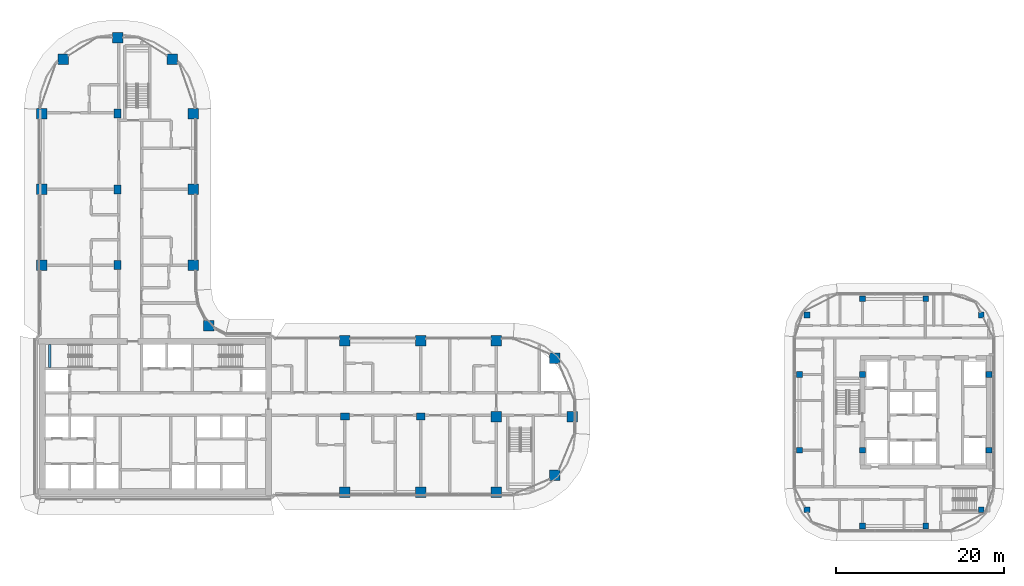
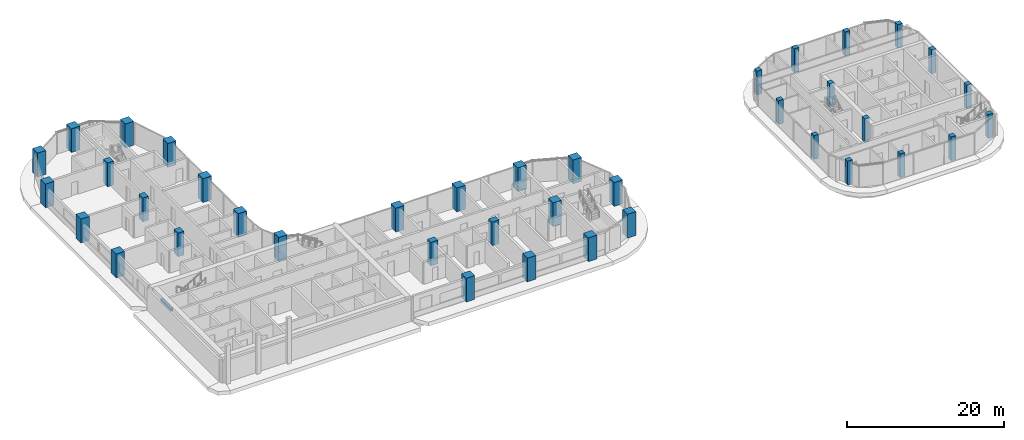
# One storey, part 1 of 33: 39 columns, 1 beam.
"""IFC4 building model written with IfcOpenShell, lengths in metres."""

from ifc_helpers import new_model, si_unit, direction, frame, origin, origin_2d, place, context, subcontext, project, spatial, rectangle, extrude, material, material_profile, profile_set, type_object, element, save


model = new_model("IFC4")

# Units and contexts
model_context = context("Model", 3, precision=1e-05, world=origin(), true_north=direction((0.0, 1.0)))
body_context = subcontext(model_context, "Body", "Model", "MODEL_VIEW")
ifc_project = project(units=[si_unit("LENGTHUNIT", "METRE"), si_unit("AREAUNIT", "SQUARE_METRE"), si_unit("VOLUMEUNIT", "CUBIC_METRE"), si_unit("PLANEANGLEUNIT", "RADIAN"), si_unit("MASSUNIT", "GRAM", prefix="KILO")], contexts=[model_context])

# Site, building, storey
site_placement = place(None, origin())
site = spatial("IfcSite", under=ifc_project, at=site_placement, CompositionType="ELEMENT")
building_placement = place(site_placement, origin())
building = spatial("IfcBuilding", under=site, at=building_placement, Name="Ogive Portal Towers", CompositionType="ELEMENT")
storey_placement = place(building_placement, frame((0.0, 0.0, 98.199951171875)))
storey = spatial("IfcBuildingStorey", under=building, at=storey_placement, Name="L23", CompositionType="ELEMENT", Elevation=98.199951171875)

# Columns
ifc_material_1 = material(Name="Concrete C60/75", Category="concrete")
ifc_material_profile_1 = material_profile(ifc_material_1, rectangle(XDim=1.050048828125, YDim=0.85009765625, at=origin_2d()), Name="RC 1050x850")
ifc_profile_set_1 = profile_set([ifc_material_profile_1], Name="Concrete C60/75")
column_type_1 = type_object("IfcColumnType", Name="COLUMN RC 1050x850", PredefinedType="COLUMN", material=ifc_profile_set_1)
for number, where, z_axis, x_axis, name in (
    (1, (67.5, 30.5, 0.0), (0.0, 0.0, 1.0), (1.0, 0.0, 0.0), "Column 5/B L23"),
    (2, (76.5, 30.5, 0.0), (0.0, 0.0, 1.0), (1.0, 0.0, 0.0), "Column 6/B L23"),
    (3, (40.5, 48.5, 0.0), (0.0, 0.0, 1.0), (0.0, 1.0, 0.0), "Column 2/D L23"),
    (4, (40.5, 57.5, 0.0), (0.0, 0.0, 1.0), (0.0, 1.0, 0.0), "Column 2/E L23"),
    (5, (40.5, 66.5, 0.0), (0.0, 0.0, 1.0), (0.0, 1.0, 0.0), "Column 2/F L23"),
):
    element("IfcColumn", number, at=place(storey_placement, frame(where, z_axis=z_axis, x_axis=x_axis)), inside=storey, type_object=column_type_1, Name=name, PredefinedType="COLUMN", context=body_context, shape_type="SweptSolid", body=[
        extrude(rectangle(XDim=1.050048828125, YDim=0.85009765625, at=origin_2d()), origin(), (0.0, 0.0, 1.0), 3.699951171875),
    ])
ifc_material_profile_2 = material_profile(ifc_material_1, rectangle(XDim=1.25, YDim=1.25, at=origin_2d()), Name="RC 1250x1250")
ifc_profile_set_2 = profile_set([ifc_material_profile_2], Name="Concrete C60/75")
column_type_2 = type_object("IfcColumnType", Name="COLUMN RC 1250x1250", PredefinedType="COLUMN", material=ifc_profile_set_2)
for number, where, z_axis, x_axis, name in (
    (6, (67.5, 21.5, 0.0), (0.0, 0.0, 1.0), (1.0, 0.0, 0.0), "Column 5/A L23"),
    (7, (76.5, 21.5, 0.0), (0.0, 0.0, 1.0), (1.0, 0.0, 0.0), "Column 6/A L23"),
    (8, (85.5, 21.5, 0.0), (0.0, 0.0, 1.0), (1.0, 0.0, 0.0), "Column 7/A L23"),
    (9, (92.449951171875, 23.550048828125, 0.0), (0.0, 0.0, 1.0), (1.0, 0.0, 0.0), "Column L23"),
    (10, (85.5, 30.5, 0.0), (0.0, 0.0, 1.0), (1.0, 0.0, 0.0), "Column 7/B L23"),
    (11, (94.5, 30.5, 0.0), (0.0, 0.0, 1.0), (1.0, 0.0, 0.0), "Column 8/B L23"),
    (12, (92.449951171875, 37.449951171875, 0.0), (0.0, 0.0, 1.0), (1.0, 0.0, 0.0), "Column L23"),
    (13, (67.5, 39.5, 0.0), (0.0, 0.0, 1.0), (1.0, 0.0, 0.0), "Column 5/C L23"),
    (14, (76.5, 39.5, 0.0), (0.0, 0.0, 1.0), (1.0, 0.0, 0.0), "Column 6/C L23"),
    (15, (85.5, 39.5, 0.0), (0.0, 0.0, 1.0), (1.0, 0.0, 0.0), "Column 7/C L23"),
    (16, (51.31005859375, 41.31005859375, 0.0), (0.0, 0.0, 1.0), (1.0, 0.0, 0.0), "Column L23"),
    (17, (31.5, 48.5, 0.0), (0.0, 0.0, 1.0), (1.0, 0.0, 0.0), "Column 1/D L23"),
    (18, (49.5, 48.5, 0.0), (0.0, 0.0, 1.0), (1.0, 0.0, 0.0), "Column 3/D L23"),
    (19, (31.5, 57.5, 0.0), (0.0, 0.0, 1.0), (1.0, 0.0, 0.0), "Column 1/E L23"),
    (20, (49.5, 57.5, 0.0), (0.0, 0.0, 1.0), (1.0, 0.0, 0.0), "Column 3/E L23"),
    (21, (31.5, 66.5, 0.0), (0.0, 0.0, 1.0), (1.0, 0.0, 0.0), "Column 1/F L23"),
    (22, (49.5, 66.5, 0.0), (0.0, 0.0, 1.0), (1.0, 0.0, 0.0), "Column 3/F L23"),
    (23, (34.027099609375, 72.972900390625, 0.0), (0.0, 0.0, 1.0), (1.0, 0.0, 0.0), "Column L23"),
    (24, (46.972900390625, 72.972900390625, 0.0), (0.0, 0.0, 1.0), (1.0, 0.0, 0.0), "Column L23"),
    (25, (40.5, 75.5, 0.0), (0.0, 0.0, 1.0), (1.0, 0.0, 0.0), "Column 2/G L23"),
):
    element("IfcColumn", number, at=place(storey_placement, frame(where, z_axis=z_axis, x_axis=x_axis)), inside=storey, type_object=column_type_2, Name=name, PredefinedType="COLUMN", context=body_context, shape_type="SweptSolid", body=[
        extrude(rectangle(XDim=1.25, YDim=1.25, at=origin_2d()), origin(), (0.0, 0.0, 1.0), 3.699951171875),
    ])
ifc_material_2 = material(Name="Concrete C50/60", Category="concrete")
ifc_material_profile_3 = material_profile(ifc_material_2, rectangle(XDim=0.699951171875, YDim=0.699951171875, at=origin_2d()), Name="RC 700x700")
ifc_profile_set_3 = profile_set([ifc_material_profile_3], Name="Concrete C50/60")
column_type_3 = type_object("IfcColumnType", Name="COLUMN RC 700x700", PredefinedType="COLUMN", material=ifc_profile_set_3)
for number, where, z_axis, x_axis, name in (
    (26, (129.0, 17.5, 0.0), (0.0, 0.0, 1.0), (1.0, 0.0, 0.0), "Column 12/H L23"),
    (27, (136.5, 17.5, 0.0), (0.0, 0.0, 1.0), (1.0, 0.0, 0.0), "Column 13/H L23"),
    (28, (122.40087890625, 19.44189453125, 0.0), (0.0, 0.0, 1.0), (1.0, 0.0, 0.0), "Column L23"),
    (29, (143.09912109375, 19.44189453125, 0.0), (0.0, 0.0, 1.0), (1.0, 0.0, 0.0), "Column L23"),
    (30, (121.5, 26.5, 0.0), (0.0, 0.0, 1.0), (1.0, 0.0, 0.0), "Column 11/J L23"),
    (31, (129.0, 26.5, 0.0), (0.0, 0.0, 1.0), (1.0, 0.0, 0.0), "Column 12/J L23"),
    (32, (144.0, 26.5, 0.0), (0.0, 0.0, 1.0), (1.0, 0.0, 0.0), "Column 14/J L23"),
    (33, (121.5, 35.5, 0.0), (0.0, 0.0, 1.0), (1.0, 0.0, 0.0), "Column 11/K L23"),
    (34, (129.0, 35.5, 0.0), (0.0, 0.0, 1.0), (1.0, 0.0, 0.0), "Column 12/K L23"),
    (35, (144.0, 35.5, 0.0), (0.0, 0.0, 1.0), (1.0, 0.0, 0.0), "Column 14/K L23"),
    (36, (122.40087890625, 42.55810546875, 0.0), (0.0, 0.0, 1.0), (1.0, 0.0, 0.0), "Column L23"),
    (37, (143.09912109375, 42.55810546875, 0.0), (0.0, 0.0, 1.0), (1.0, 0.0, 0.0), "Column L23"),
    (38, (129.0, 44.5, 0.0), (0.0, 0.0, 1.0), (1.0, 0.0, 0.0), "Column 12/L L23"),
    (39, (136.5, 44.5, 0.0), (0.0, 0.0, 1.0), (1.0, 0.0, 0.0), "Column 13/L L23"),
):
    element("IfcColumn", number, at=place(storey_placement, frame(where, z_axis=z_axis, x_axis=x_axis)), inside=storey, type_object=column_type_3, Name=name, PredefinedType="COLUMN", context=body_context, shape_type="SweptSolid", body=[
        extrude(rectangle(XDim=0.699951171875, YDim=0.699951171875, at=origin_2d()), origin(), (0.0, 0.0, 1.0), 3.699951171875),
    ])

# Beam
ifc_material_3 = material(Name="Concrete C40/50", Category="concrete")
ifc_material_profile_4 = material_profile(ifc_material_3, rectangle(XDim=0.300048828125, YDim=0.39990234375, at=origin_2d()), Name="RC 300x400")
ifc_profile_set_4 = profile_set([ifc_material_profile_4], Name="Concrete C40/50")
beam_type = type_object("IfcBeamType", Name="BEAM RC 300x400", PredefinedType="BEAM", material=ifc_profile_set_4)
beam_placement = place(storey_placement, frame((32.449951171875, 36.35009765625, 1.449951171875), z_axis=(0.0, 1.0, 0.0), x_axis=(-1.0, 0.0, 0.0)))
element("IfcBeam", 40, at=beam_placement, inside=storey, type_object=beam_type, Name="Landing beam L23", PredefinedType="BEAM", context=body_context, shape_type="SweptSolid", body=[
    extrude(rectangle(XDim=0.300048828125, YDim=0.39990234375, at=origin_2d()), origin(), (0.0, 0.0, 1.0), 2.699951171875),
])

save(model, "model.ifc")
